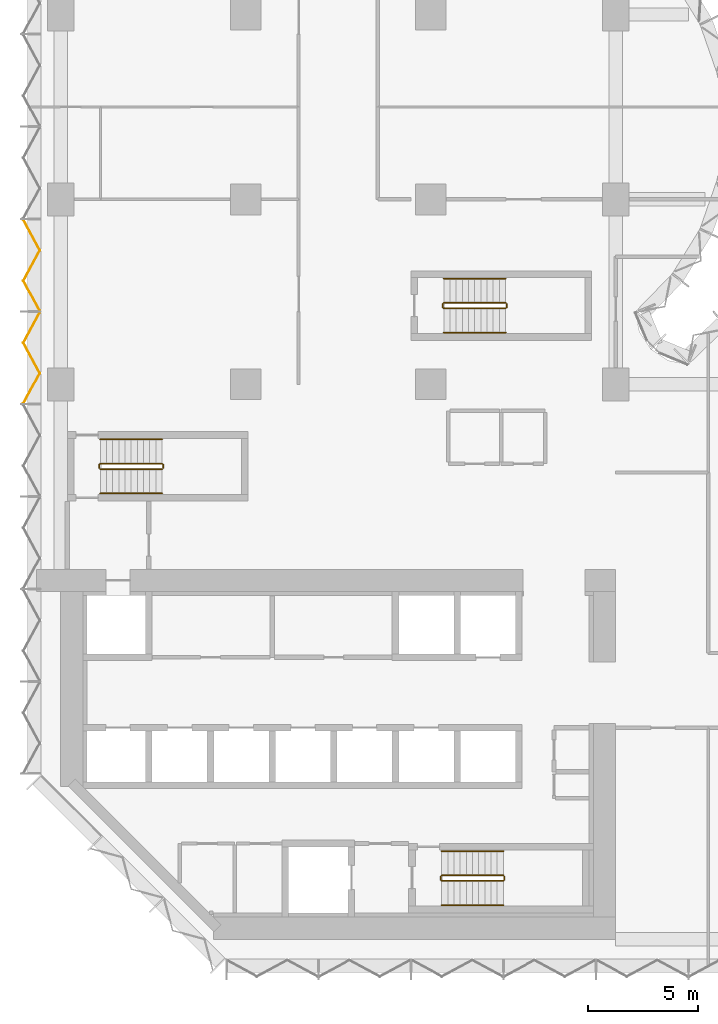
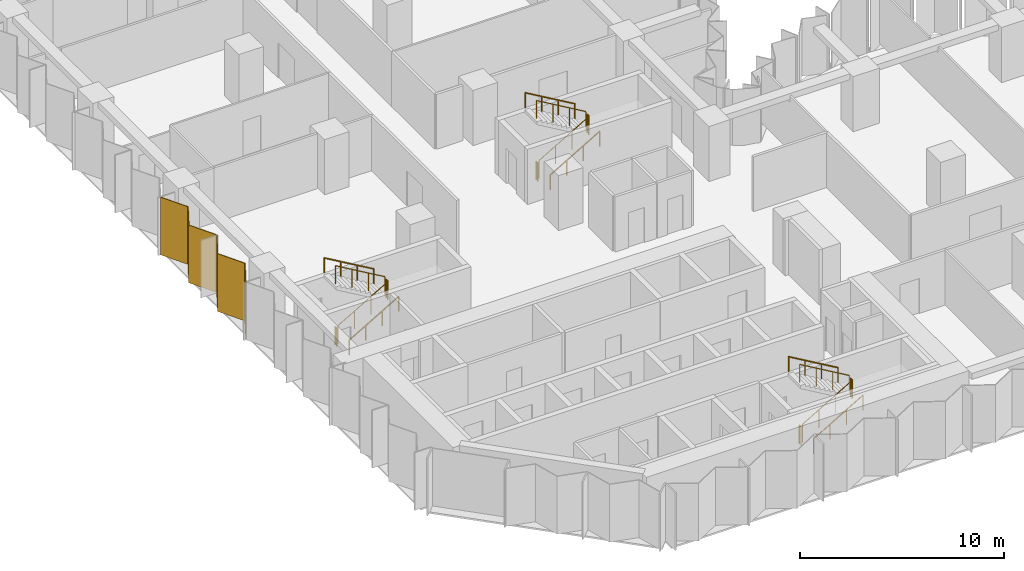
# One storey, part 13 of 15: 18 railings, 2 coverings, 1 element without a shape of its own.
"""IFC4 building model written with IfcOpenShell, lengths in metres."""

from ifc_helpers import new_model, si_unit, direction, frame, origin, origin_2d, place, context, subcontext, project, spatial, polyline, circle, outline, extrude, material, layer, layer_set, type_object, element, aggregate, save


model = new_model("IFC4")

# Units and contexts
model_context = context("Model", 3, precision=1e-05, world=origin(), true_north=direction((0.0, 1.0)))
body_context = subcontext(model_context, "Body", "Model", "MODEL_VIEW")
ifc_project = project(units=[si_unit("LENGTHUNIT", "METRE"), si_unit("AREAUNIT", "SQUARE_METRE"), si_unit("VOLUMEUNIT", "CUBIC_METRE"), si_unit("PLANEANGLEUNIT", "RADIAN"), si_unit("MASSUNIT", "GRAM", prefix="KILO")], contexts=[model_context])

# Site, building, storey
site_placement = place(None, origin())
site = spatial("IfcSite", under=ifc_project, at=site_placement, CompositionType="ELEMENT")
building_placement = place(site_placement, origin())
building = spatial("IfcBuilding", under=site, at=building_placement, Name="Brevane Broadcast Tower", CompositionType="ELEMENT")
storey_placement = place(building_placement, frame((0.0, 0.0, 83.300048828125)))
storey = spatial("IfcBuildingStorey", under=building, at=storey_placement, Name="L19", CompositionType="ELEMENT", Elevation=83.300048828125)

# Railings
ifc_material_1 = material(Name="Steel S355", Category="steel")
railing_type_1 = type_object("IfcRailingType", Name="Exit stair guard", PredefinedType="GUARDRAIL", material=ifc_material_1)
railing_1_placement = place(storey_placement, frame((1.800048828125, 21.35009765625, 0.16357421875)))
element("IfcRailing", 1, at=railing_1_placement, inside=storey, type_object=railing_type_1, Name="L19 ST-1 stair guard 1", PredefinedType="GUARDRAIL", context=body_context, shape_type="SweptSolid", body=[
    extrude(circle(Radius=0.02392578125, at=origin_2d()), frame((0.0, 0.0, 1.076171875), z_axis=(0.863360870873, 0.0, 0.504586966384), x_axis=(0.0, 1.0, 0.0)), (0.0, 0.0, 1.0), 3.2431640625),
    extrude(circle(Radius=0.02099609375, at=origin_2d()), origin(), (0.0, 0.0, 1.0), 1.052001953125),
    extrude(circle(Radius=0.02099609375, at=origin_2d()), frame((0.933349609375, 0.0, 0.54541015625)), (0.0, 0.0, 1.0), 1.052001953125),
    extrude(circle(Radius=0.02099609375, at=origin_2d()), frame((1.86669921875, 0.0, 1.091064453125)), (0.0, 0.0, 1.0), 1.052001953125),
    extrude(circle(Radius=0.02099609375, at=origin_2d()), frame((2.800048828125, 0.0, 1.636474609375)), (0.0, 0.0, 1.0), 1.052001953125),
])
railing_2_placement = place(storey_placement, frame((4.64990234375, 21.39990234375, 1.800048828125)))
element("IfcRailing", 2, at=railing_2_placement, inside=storey, type_object=railing_type_1, Name="L19 ST-1 stair guard 2", PredefinedType="GUARDRAIL", context=body_context, shape_type="SweptSolid", body=[
    extrude(circle(Radius=0.02392578125, at=origin_2d()), frame((0.0, 0.0, 1.076171875), z_axis=(0.0, 1.0, 0.0), x_axis=(-1.0, 0.0, 0.0)), (0.0, 0.0, 1.0), 0.150146484375),
    extrude(circle(Radius=0.02099609375, at=origin_2d()), origin(), (0.0, 0.0, 1.0), 1.052001953125),
    extrude(circle(Radius=0.02099609375, at=origin_2d()), frame((0.0, 0.150146484375, 0.0)), (0.0, 0.0, 1.0), 1.052001953125),
])
railing_3_placement = place(storey_placement, frame((4.60009765625, 21.60009765625, 1.963623046875)))
element("IfcRailing", 3, at=railing_3_placement, inside=storey, type_object=railing_type_1, Name="L19 ST-1 stair guard 3", PredefinedType="GUARDRAIL", context=body_context, shape_type="SweptSolid", body=[
    extrude(circle(Radius=0.02392578125, at=origin_2d()), frame((0.0, 0.0, 1.076171875), z_axis=(-0.863393664356, 0.0, 0.504530851732), x_axis=(0.0, -1.0, 0.0)), (0.0, 0.0, 1.0), 3.2431640625),
    extrude(circle(Radius=0.02099609375, at=origin_2d()), origin(), (0.0, 0.0, 1.0), 1.052001953125),
    extrude(circle(Radius=0.02099609375, at=origin_2d()), frame((-0.933349609375, 0.0, 0.54541015625)), (0.0, 0.0, 1.0), 1.052001953125),
    extrude(circle(Radius=0.02099609375, at=origin_2d()), frame((-1.86669921875, 0.0, 1.0908203125)), (0.0, 0.0, 1.0), 1.052001953125),
    extrude(circle(Radius=0.02099609375, at=origin_2d()), frame((-2.800048828125, 0.0, 1.63623046875)), (0.0, 0.0, 1.0), 1.052001953125),
])
railing_4_placement = place(storey_placement, frame((1.75, 21.39990234375, 0.0)))
element("IfcRailing", 4, at=railing_4_placement, inside=storey, type_object=railing_type_1, Name="L19 ST-1 stair guard 4", PredefinedType="GUARDRAIL", context=body_context, shape_type="SweptSolid", body=[
    extrude(circle(Radius=0.02392578125, at=origin_2d()), frame((0.0, 0.0, 1.076171875), z_axis=(0.0, 1.0, 0.0), x_axis=(-1.0, 0.0, 0.0)), (0.0, 0.0, 1.0), 0.150146484375),
    extrude(circle(Radius=0.02099609375, at=origin_2d()), origin(), (0.0, 0.0, 1.0), 1.052001953125),
    extrude(circle(Radius=0.02099609375, at=origin_2d()), frame((0.0, 0.150146484375, 0.0)), (0.0, 0.0, 1.0), 1.052001953125),
])
railing_5_placement = place(storey_placement, frame((17.300048828125, 2.64990234375, 0.16357421875)))
element("IfcRailing", 5, at=railing_5_placement, inside=storey, type_object=railing_type_1, Name="L19 ST-2 stair guard 1", PredefinedType="GUARDRAIL", context=body_context, shape_type="SweptSolid", body=[
    extrude(circle(Radius=0.02392578125, at=origin_2d()), frame((0.0, 0.0, 1.076171875), z_axis=(0.863360870873, 0.0, 0.504586966384), x_axis=(0.0, 1.0, 0.0)), (0.0, 0.0, 1.0), 3.2431640625),
    extrude(circle(Radius=0.02099609375, at=origin_2d()), origin(), (0.0, 0.0, 1.0), 1.052001953125),
    extrude(circle(Radius=0.02099609375, at=origin_2d()), frame((0.933349609375, 0.0, 0.54541015625)), (0.0, 0.0, 1.0), 1.052001953125),
    extrude(circle(Radius=0.02099609375, at=origin_2d()), frame((1.86669921875, 0.0, 1.091064453125)), (0.0, 0.0, 1.0), 1.052001953125),
    extrude(circle(Radius=0.02099609375, at=origin_2d()), frame((2.800048828125, 0.0, 1.636474609375)), (0.0, 0.0, 1.0), 1.052001953125),
])
railing_6_placement = place(storey_placement, frame((20.14990234375, 2.699951171875, 1.800048828125)))
element("IfcRailing", 6, at=railing_6_placement, inside=storey, type_object=railing_type_1, Name="L19 ST-2 stair guard 2", PredefinedType="GUARDRAIL", context=body_context, shape_type="SweptSolid", body=[
    extrude(circle(Radius=0.02392578125, at=origin_2d()), frame((0.0, 0.0, 1.076171875), z_axis=(0.0, 1.0, 0.0), x_axis=(-1.0, 0.0, 0.0)), (0.0, 0.0, 1.0), 0.150146484375),
    extrude(circle(Radius=0.02099609375, at=origin_2d()), origin(), (0.0, 0.0, 1.0), 1.052001953125),
    extrude(circle(Radius=0.02099609375, at=origin_2d()), frame((0.0, 0.150146484375, 0.0)), (0.0, 0.0, 1.0), 1.052001953125),
])
railing_7_placement = place(storey_placement, frame((20.10009765625, 2.89990234375, 1.963623046875)))
element("IfcRailing", 7, at=railing_7_placement, inside=storey, type_object=railing_type_1, Name="L19 ST-2 stair guard 3", PredefinedType="GUARDRAIL", context=body_context, shape_type="SweptSolid", body=[
    extrude(circle(Radius=0.02392578125, at=origin_2d()), frame((0.0, 0.0, 1.076171875), z_axis=(-0.863393664356, 0.0, 0.504530851732), x_axis=(0.0, -1.0, 0.0)), (0.0, 0.0, 1.0), 3.2431640625),
    extrude(circle(Radius=0.02099609375, at=origin_2d()), origin(), (0.0, 0.0, 1.0), 1.052001953125),
    extrude(circle(Radius=0.02099609375, at=origin_2d()), frame((-0.933349609375, 0.0, 0.54541015625)), (0.0, 0.0, 1.0), 1.052001953125),
    extrude(circle(Radius=0.02099609375, at=origin_2d()), frame((-1.86669921875, 0.0, 1.0908203125)), (0.0, 0.0, 1.0), 1.052001953125),
    extrude(circle(Radius=0.02099609375, at=origin_2d()), frame((-2.800048828125, 0.0, 1.63623046875)), (0.0, 0.0, 1.0), 1.052001953125),
])
railing_8_placement = place(storey_placement, frame((17.25, 2.699951171875, 0.0)))
element("IfcRailing", 8, at=railing_8_placement, inside=storey, type_object=railing_type_1, Name="L19 ST-2 stair guard 4", PredefinedType="GUARDRAIL", context=body_context, shape_type="SweptSolid", body=[
    extrude(circle(Radius=0.02392578125, at=origin_2d()), frame((0.0, 0.0, 1.076171875), z_axis=(0.0, 1.0, 0.0), x_axis=(-1.0, 0.0, 0.0)), (0.0, 0.0, 1.0), 0.150146484375),
    extrude(circle(Radius=0.02099609375, at=origin_2d()), origin(), (0.0, 0.0, 1.0), 1.052001953125),
    extrude(circle(Radius=0.02099609375, at=origin_2d()), frame((0.0, 0.150146484375, 0.0)), (0.0, 0.0, 1.0), 1.052001953125),
])
railing_9_placement = place(storey_placement, frame((17.39990234375, 28.64990234375, 0.16357421875)))
element("IfcRailing", 9, at=railing_9_placement, inside=storey, type_object=railing_type_1, Name="L19 ST-3 stair guard 1", PredefinedType="GUARDRAIL", context=body_context, shape_type="SweptSolid", body=[
    extrude(circle(Radius=0.02392578125, at=origin_2d()), frame((0.0, 0.0, 1.076171875), z_axis=(0.863360870873, 0.0, 0.504586966384), x_axis=(0.0, 1.0, 0.0)), (0.0, 0.0, 1.0), 3.2431640625),
    extrude(circle(Radius=0.02099609375, at=origin_2d()), origin(), (0.0, 0.0, 1.0), 1.052001953125),
    extrude(circle(Radius=0.02099609375, at=origin_2d()), frame((0.933349609375, 0.0, 0.54541015625)), (0.0, 0.0, 1.0), 1.052001953125),
    extrude(circle(Radius=0.02099609375, at=origin_2d()), frame((1.86669921875, 0.0, 1.091064453125)), (0.0, 0.0, 1.0), 1.052001953125),
    extrude(circle(Radius=0.02099609375, at=origin_2d()), frame((2.800048828125, 0.0, 1.636474609375)), (0.0, 0.0, 1.0), 1.052001953125),
])
railing_10_placement = place(storey_placement, frame((20.25, 28.699951171875, 1.800048828125)))
element("IfcRailing", 10, at=railing_10_placement, inside=storey, type_object=railing_type_1, Name="L19 ST-3 stair guard 2", PredefinedType="GUARDRAIL", context=body_context, shape_type="SweptSolid", body=[
    extrude(circle(Radius=0.02392578125, at=origin_2d()), frame((0.0, 0.0, 1.076171875), z_axis=(0.0, 1.0, 0.0), x_axis=(-1.0, 0.0, 0.0)), (0.0, 0.0, 1.0), 0.150146484375),
    extrude(circle(Radius=0.02099609375, at=origin_2d()), origin(), (0.0, 0.0, 1.0), 1.052001953125),
    extrude(circle(Radius=0.02099609375, at=origin_2d()), frame((0.0, 0.150146484375, 0.0)), (0.0, 0.0, 1.0), 1.052001953125),
])
railing_11_placement = place(storey_placement, frame((20.199951171875, 28.89990234375, 1.963623046875)))
element("IfcRailing", 11, at=railing_11_placement, inside=storey, type_object=railing_type_1, Name="L19 ST-3 stair guard 3", PredefinedType="GUARDRAIL", context=body_context, shape_type="SweptSolid", body=[
    extrude(circle(Radius=0.02392578125, at=origin_2d()), frame((0.0, 0.0, 1.076171875), z_axis=(-0.863393664356, 0.0, 0.504530851732), x_axis=(0.0, -1.0, 0.0)), (0.0, 0.0, 1.0), 3.2431640625),
    extrude(circle(Radius=0.02099609375, at=origin_2d()), origin(), (0.0, 0.0, 1.0), 1.052001953125),
    extrude(circle(Radius=0.02099609375, at=origin_2d()), frame((-0.933349609375, 0.0, 0.54541015625)), (0.0, 0.0, 1.0), 1.052001953125),
    extrude(circle(Radius=0.02099609375, at=origin_2d()), frame((-1.86669921875, 0.0, 1.0908203125)), (0.0, 0.0, 1.0), 1.052001953125),
    extrude(circle(Radius=0.02099609375, at=origin_2d()), frame((-2.800048828125, 0.0, 1.63623046875)), (0.0, 0.0, 1.0), 1.052001953125),
])
railing_12_placement = place(storey_placement, frame((17.35009765625, 28.699951171875, 0.0)))
element("IfcRailing", 12, at=railing_12_placement, inside=storey, type_object=railing_type_1, Name="L19 ST-3 stair guard 4", PredefinedType="GUARDRAIL", context=body_context, shape_type="SweptSolid", body=[
    extrude(circle(Radius=0.02392578125, at=origin_2d()), frame((0.0, 0.0, 1.076171875), z_axis=(0.0, 1.0, 0.0), x_axis=(-1.0, 0.0, 0.0)), (0.0, 0.0, 1.0), 0.150146484375),
    extrude(circle(Radius=0.02099609375, at=origin_2d()), origin(), (0.0, 0.0, 1.0), 1.052001953125),
    extrude(circle(Radius=0.02099609375, at=origin_2d()), frame((0.0, 0.150146484375, 0.0)), (0.0, 0.0, 1.0), 1.052001953125),
])
railing_type_2 = type_object("IfcRailingType", Name="Exit stair handrail", PredefinedType="HANDRAIL", material=ifc_material_1)
railing_13_placement = place(storey_placement, frame((1.800048828125, 20.25, 0.16357421875)))
element("IfcRailing", 13, at=railing_13_placement, inside=storey, type_object=railing_type_2, Name="L19 ST-1 stair handrail 1", PredefinedType="HANDRAIL", context=body_context, shape_type="SweptSolid", body=[
    extrude(circle(Radius=0.02392578125, at=origin_2d()), frame((0.0, 0.0, 0.8759765625), z_axis=(0.863360870873, 0.0, 0.504586966384), x_axis=(0.0, 1.0, 0.0)), (0.0, 0.0, 1.0), 3.2431640625),
    extrude(circle(Radius=0.02099609375, at=origin_2d()), origin(), (0.0, 0.0, 1.0), 0.851806640625),
    extrude(circle(Radius=0.02099609375, at=origin_2d()), frame((0.933349609375, 0.0, 0.54541015625)), (0.0, 0.0, 1.0), 0.851806640625),
    extrude(circle(Radius=0.02099609375, at=origin_2d()), frame((1.86669921875, 0.0, 1.091064453125)), (0.0, 0.0, 1.0), 0.851806640625),
    extrude(circle(Radius=0.02099609375, at=origin_2d()), frame((2.800048828125, 0.0, 1.636474609375)), (0.0, 0.0, 1.0), 0.851806640625),
])
railing_14_placement = place(storey_placement, frame((4.60009765625, 22.699951171875, 1.963623046875)))
element("IfcRailing", 14, at=railing_14_placement, inside=storey, type_object=railing_type_2, Name="L19 ST-1 stair handrail 2", PredefinedType="HANDRAIL", context=body_context, shape_type="SweptSolid", body=[
    extrude(circle(Radius=0.02392578125, at=origin_2d()), frame((0.0, 0.0, 0.8759765625), z_axis=(-0.863393664356, 0.0, 0.504530851732), x_axis=(0.0, -1.0, 0.0)), (0.0, 0.0, 1.0), 3.2431640625),
    extrude(circle(Radius=0.02099609375, at=origin_2d()), origin(), (0.0, 0.0, 1.0), 0.851806640625),
    extrude(circle(Radius=0.02099609375, at=origin_2d()), frame((-0.933349609375, 0.0, 0.54541015625)), (0.0, 0.0, 1.0), 0.851806640625),
    extrude(circle(Radius=0.02099609375, at=origin_2d()), frame((-1.86669921875, 0.0, 1.0908203125)), (0.0, 0.0, 1.0), 0.851806640625),
    extrude(circle(Radius=0.02099609375, at=origin_2d()), frame((-2.800048828125, 0.0, 1.63623046875)), (0.0, 0.0, 1.0), 0.851806640625),
])
railing_15_placement = place(storey_placement, frame((17.300048828125, 1.550048828125, 0.16357421875)))
element("IfcRailing", 15, at=railing_15_placement, inside=storey, type_object=railing_type_2, Name="L19 ST-2 stair handrail 1", PredefinedType="HANDRAIL", context=body_context, shape_type="SweptSolid", body=[
    extrude(circle(Radius=0.02392578125, at=origin_2d()), frame((0.0, 0.0, 0.8759765625), z_axis=(0.863360870873, 0.0, 0.504586966384), x_axis=(0.0, 1.0, 0.0)), (0.0, 0.0, 1.0), 3.2431640625),
    extrude(circle(Radius=0.02099609375, at=origin_2d()), origin(), (0.0, 0.0, 1.0), 0.851806640625),
    extrude(circle(Radius=0.02099609375, at=origin_2d()), frame((0.933349609375, 0.0, 0.54541015625)), (0.0, 0.0, 1.0), 0.851806640625),
    extrude(circle(Radius=0.02099609375, at=origin_2d()), frame((1.86669921875, 0.0, 1.091064453125)), (0.0, 0.0, 1.0), 0.851806640625),
    extrude(circle(Radius=0.02099609375, at=origin_2d()), frame((2.800048828125, 0.0, 1.636474609375)), (0.0, 0.0, 1.0), 0.851806640625),
])
railing_16_placement = place(storey_placement, frame((20.10009765625, 4.0, 1.963623046875)))
element("IfcRailing", 16, at=railing_16_placement, inside=storey, type_object=railing_type_2, Name="L19 ST-2 stair handrail 2", PredefinedType="HANDRAIL", context=body_context, shape_type="SweptSolid", body=[
    extrude(circle(Radius=0.02392578125, at=origin_2d()), frame((0.0, 0.0, 0.8759765625), z_axis=(-0.863393664356, 0.0, 0.504530851732), x_axis=(0.0, -1.0, 0.0)), (0.0, 0.0, 1.0), 3.2431640625),
    extrude(circle(Radius=0.02099609375, at=origin_2d()), origin(), (0.0, 0.0, 1.0), 0.851806640625),
    extrude(circle(Radius=0.02099609375, at=origin_2d()), frame((-0.933349609375, 0.0, 0.54541015625)), (0.0, 0.0, 1.0), 0.851806640625),
    extrude(circle(Radius=0.02099609375, at=origin_2d()), frame((-1.86669921875, 0.0, 1.0908203125)), (0.0, 0.0, 1.0), 0.851806640625),
    extrude(circle(Radius=0.02099609375, at=origin_2d()), frame((-2.800048828125, 0.0, 1.63623046875)), (0.0, 0.0, 1.0), 0.851806640625),
])
railing_17_placement = place(storey_placement, frame((17.39990234375, 27.550048828125, 0.16357421875)))
element("IfcRailing", 17, at=railing_17_placement, inside=storey, type_object=railing_type_2, Name="L19 ST-3 stair handrail 1", PredefinedType="HANDRAIL", context=body_context, shape_type="SweptSolid", body=[
    extrude(circle(Radius=0.02392578125, at=origin_2d()), frame((0.0, 0.0, 0.8759765625), z_axis=(0.863360870873, 0.0, 0.504586966384), x_axis=(0.0, 1.0, 0.0)), (0.0, 0.0, 1.0), 3.2431640625),
    extrude(circle(Radius=0.02099609375, at=origin_2d()), origin(), (0.0, 0.0, 1.0), 0.851806640625),
    extrude(circle(Radius=0.02099609375, at=origin_2d()), frame((0.933349609375, 0.0, 0.54541015625)), (0.0, 0.0, 1.0), 0.851806640625),
    extrude(circle(Radius=0.02099609375, at=origin_2d()), frame((1.86669921875, 0.0, 1.091064453125)), (0.0, 0.0, 1.0), 0.851806640625),
    extrude(circle(Radius=0.02099609375, at=origin_2d()), frame((2.800048828125, 0.0, 1.636474609375)), (0.0, 0.0, 1.0), 0.851806640625),
])
railing_18_placement = place(storey_placement, frame((20.199951171875, 30.0, 1.963623046875)))
element("IfcRailing", 18, at=railing_18_placement, inside=storey, type_object=railing_type_2, Name="L19 ST-3 stair handrail 2", PredefinedType="HANDRAIL", context=body_context, shape_type="SweptSolid", body=[
    extrude(circle(Radius=0.02392578125, at=origin_2d()), frame((0.0, 0.0, 0.8759765625), z_axis=(-0.863393664356, 0.0, 0.504530851732), x_axis=(0.0, -1.0, 0.0)), (0.0, 0.0, 1.0), 3.2431640625),
    extrude(circle(Radius=0.02099609375, at=origin_2d()), origin(), (0.0, 0.0, 1.0), 0.851806640625),
    extrude(circle(Radius=0.02099609375, at=origin_2d()), frame((-0.933349609375, 0.0, 0.54541015625)), (0.0, 0.0, 1.0), 0.851806640625),
    extrude(circle(Radius=0.02099609375, at=origin_2d()), frame((-1.86669921875, 0.0, 1.0908203125)), (0.0, 0.0, 1.0), 0.851806640625),
    extrude(circle(Radius=0.02099609375, at=origin_2d()), frame((-2.800048828125, 0.0, 1.63623046875)), (0.0, 0.0, 1.0), 0.851806640625),
])

# Curtain wall, coverings
ifc_material_2 = material(Name="Aluminium 6063-T6 bronze anodised", Category="aluminium")
curtain_wall_type = type_object("IfcCurtainWallType", Name="CW-1 curtain wall", PredefinedType="NOTDEFINED", material=ifc_material_2)
curtain_wall_placement = place(storey_placement, origin())
curtain_wall = element("IfcCurtainWall", 19, at=curtain_wall_placement, inside=storey, type_object=curtain_wall_type, Name="CW-1 typical tilted unit L19 west face", PredefinedType="NOTDEFINED")
ifc_material_3 = material(Name="Back-painted bronze glass shadow-box", Category="glass")
ifc_layer = layer(ifc_material_3, 0.0400390625)
ifc_layer_set = layer_set([ifc_layer], Name="Shadow-box panel 40")
covering_type = type_object("IfcCoveringType", Name="Shadow-box panel 40", PredefinedType="CLADDING", material=ifc_layer_set)
covering_1_placement = place(storey_placement, frame((0.0, 0.0, -0.150146484375)))
covering_1 = element("IfcCovering", 20, at=covering_1_placement, type_object=covering_type, Name="Shadow-box panel", PredefinedType="CLADDING", context=body_context, shape_type="SweptSolid", body=[
    extrude(outline(polyline([(-1.671630859375, 32.6650390625), (-1.717041015625, 32.6650390625), (-0.97265625, 31.288330078125), (-1.717041015625, 29.91162109375), (-0.97265625, 28.534912109375), (-0.92724609375, 28.534912109375), (-1.671630859375, 29.91162109375), (-0.92724609375, 31.288330078125), (-1.671630859375, 32.6650390625)])), origin(), (0.0, 0.0, 1.0), 3.4501953125),
])
covering_2_placement = place(storey_placement, frame((0.0, 0.0, -0.150146484375)))
covering_2 = element("IfcCovering", 21, at=covering_2_placement, type_object=covering_type, Name="Shadow-box panel", PredefinedType="CLADDING", context=body_context, shape_type="SweptSolid", body=[
    extrude(outline(polyline([(-0.92724609375, 28.465087890625), (-0.97265625, 28.465087890625), (-1.717041015625, 27.08837890625), (-0.97265625, 25.711669921875), (-1.717041015625, 24.3349609375), (-1.671630859375, 24.3349609375), (-0.92724609375, 25.711669921875), (-1.671630859375, 27.08837890625), (-0.92724609375, 28.465087890625)])), origin(), (0.0, 0.0, 1.0), 3.4501953125),
])
aggregate(curtain_wall, [covering_1, covering_2])

save(model, "model.ifc")
